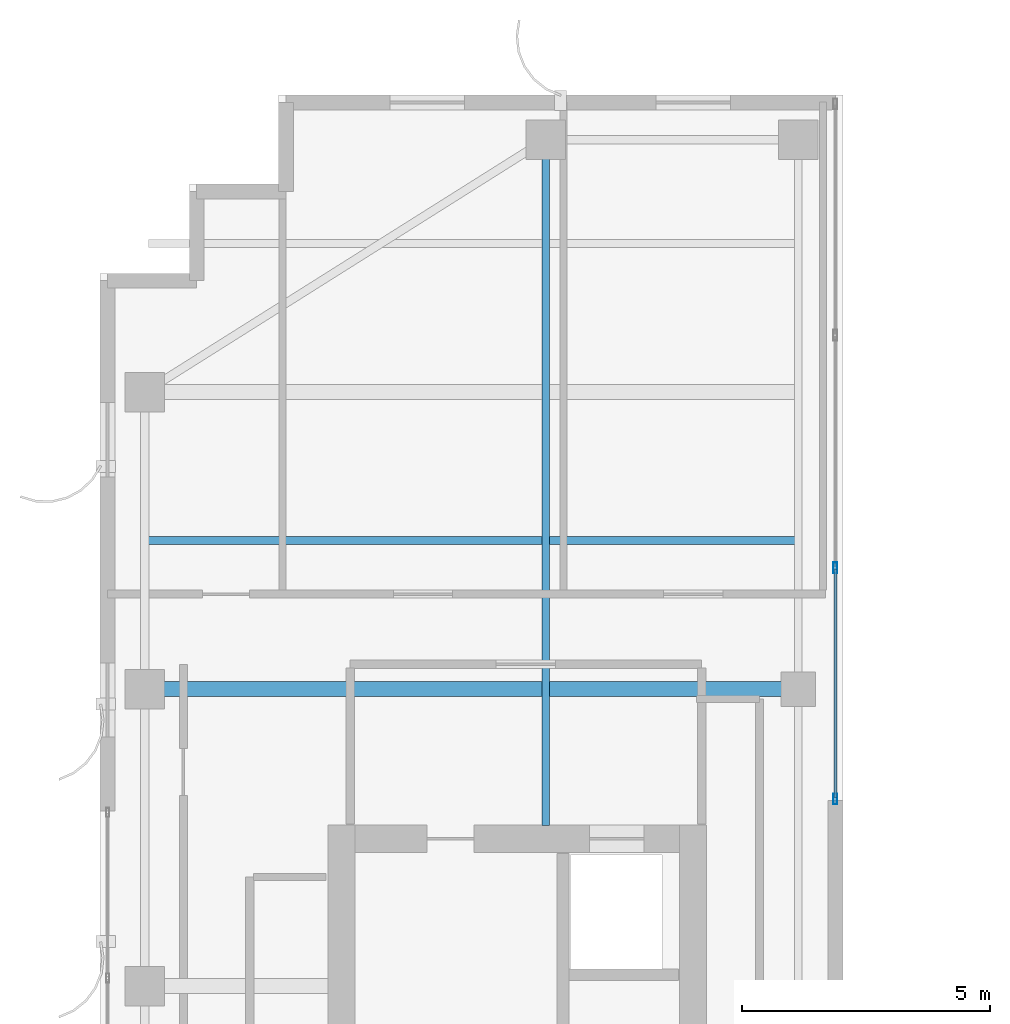
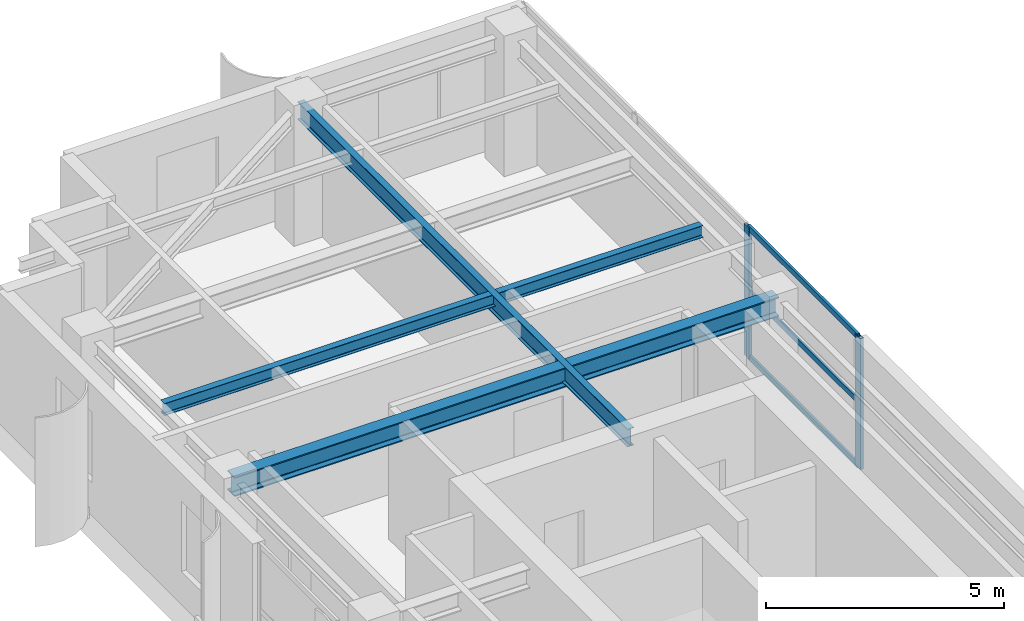
# One storey, part 9 of 24: 5 members, 3 beams, 1 element without a shape of its own.
"""IFC4 building model written with IfcOpenShell, lengths in metres."""

from ifc_helpers import new_model, si_unit, direction, frame, origin, origin_2d, place, context, subcontext, project, spatial, hollow_rectangle, i_section, extrude, source, transform, mapped, material, layer, layer_set, material_profile, profile_set, type_object, element, aggregate, save


model = new_model("IFC4")

# Units and contexts
model_context = context("Model", 3, precision=1e-05, world=origin(), true_north=direction((0.0, 1.0)))
body_context = subcontext(model_context, "Body", "Model", "MODEL_VIEW")
ifc_project = project(units=[si_unit("LENGTHUNIT", "METRE"), si_unit("AREAUNIT", "SQUARE_METRE"), si_unit("VOLUMEUNIT", "CUBIC_METRE"), si_unit("PLANEANGLEUNIT", "RADIAN"), si_unit("MASSUNIT", "GRAM", prefix="KILO")], contexts=[model_context])

# Site, building, storey
site_placement = place(None, origin())
site = spatial("IfcSite", under=ifc_project, at=site_placement, CompositionType="ELEMENT")
building_placement = place(site_placement, origin())
building = spatial("IfcBuilding", under=site, at=building_placement, Name="Khoralis Quay Care Tower", CompositionType="ELEMENT")
storey_placement = place(building_placement, frame((0.0, 0.0, 227.699951171875)))
storey = spatial("IfcBuildingStorey", under=building, at=storey_placement, Name="L59", CompositionType="ELEMENT", Elevation=227.699951171875)

# Beams
ifc_material_1 = material(Name="Steel S355", Category="steel")
ifc_material_profile_1 = material_profile(ifc_material_1, i_section(OverallWidth=0.300048828125, OverallDepth=0.5, WebThickness=0.014404296875, FlangeThickness=0.028076171875, FilletRadius=0.027099609375, at=origin_2d()), Name="Steel S355")
ifc_profile_set_1 = profile_set([ifc_material_profile_1], Name="Steel S355")
beam_type_1 = type_object("IfcBeamType", Name="BM-HEB500", PredefinedType="BEAM", material=ifc_profile_set_1)
shared_shape_1 = source(origin(), body_context, "Body", "SweptSolid", [
    extrude(i_section(OverallWidth=0.300048828125, OverallDepth=0.5, WebThickness=0.014404296875, FlangeThickness=0.028076171875, FilletRadius=0.027099609375, at=origin_2d()), origin(), (0.0, 0.0, 1.0), 13.2001953125),
])
beam_1_placement = place(storey_placement, frame((3.89990234375, 30.0, 3.110107421875), z_axis=(1.0, 0.0, 0.0), x_axis=(0.0, 1.0, 0.0)))
element("IfcBeam", 1, at=beam_1_placement, inside=storey, type_object=beam_type_1, Name="BM-TGXW-L59-300", PredefinedType="BEAM", context=body_context, shape_type="MappedRepresentation", body=[
    mapped(shared_shape_1, transform((0.0, 0.0, 0.0), scale=1.0)),
])
ifc_material_profile_2 = material_profile(ifc_material_1, i_section(OverallWidth=0.1650390625, OverallDepth=0.31005859375, WebThickness=0.005859375, FlangeThickness=0.009765625, FilletRadius=0.011962890625, at=origin_2d()), Name="Steel S355")
ifc_profile_set_2 = profile_set([ifc_material_profile_2], Name="Steel S355")
beam_type_2 = type_object("IfcBeamType", Name="BM-W310X39", PredefinedType="JOIST", material=ifc_profile_set_2)
shared_shape_2 = source(origin(), body_context, "Body", "SweptSolid", [
    extrude(i_section(OverallWidth=0.1650390625, OverallDepth=0.31005859375, WebThickness=0.005859375, FlangeThickness=0.009765625, FilletRadius=0.011962890625, at=origin_2d()), origin(), (0.0, 0.0, 1.0), 13.06396484375),
])
beam_2_placement = place(storey_placement, frame((3.970947265625, 33.0, 3.205078125), z_axis=(1.0, 0.0, 0.0), x_axis=(0.0, 1.0, 0.0)))
element("IfcBeam", 2, at=beam_2_placement, inside=storey, type_object=beam_type_2, Name="BM-TJS-L59-19", PredefinedType="JOIST", context=body_context, shape_type="MappedRepresentation", body=[
    mapped(shared_shape_2, transform((0.0, 0.0, 0.0), scale=1.0)),
])
ifc_material_profile_3 = material_profile(ifc_material_1, i_section(OverallWidth=0.154052734375, OverallDepth=0.458984375, WebThickness=0.009033203125, FlangeThickness=0.015380859375, FilletRadius=0.014892578125, at=origin_2d()), Name="Steel S355")
ifc_profile_set_3 = profile_set([ifc_material_profile_3], Name="Steel S355")
beam_type_3 = type_object("IfcBeamType", Name="BM-W460X68", PredefinedType="BEAM", material=ifc_profile_set_3)
shared_shape_3 = source(origin(), body_context, "Body", "SweptSolid", [
    extrude(i_section(OverallWidth=0.154052734375, OverallDepth=0.458984375, WebThickness=0.009033203125, FlangeThickness=0.015380859375, FilletRadius=0.014892578125, at=origin_2d()), origin(), (0.0, 0.0, 1.0), 13.85205078125),
])
beam_3_placement = place(storey_placement, frame((12.0, 27.248046875, 3.130615234375), z_axis=(0.0, 1.0, 0.0), x_axis=(-1.0, 0.0, 0.0)))
element("IfcBeam", 3, at=beam_3_placement, inside=storey, type_object=beam_type_3, Name="BM-TGYN-L59-120", PredefinedType="BEAM", context=body_context, shape_type="MappedRepresentation", body=[
    mapped(shared_shape_3, transform((0.0, 0.0, 0.0), scale=1.0)),
])

# Curtain wall, members
ifc_material_2 = material(Name="Pale anodised aluminium", Category="aluminium")
ifc_layer = layer(ifc_material_2, 0.18994140625)
ifc_layer_set = layer_set([ifc_layer], Name="Pale anodised aluminium")
curtain_wall_type = type_object("IfcCurtainWallType", Name="CW-SYS-PORTAL", PredefinedType="NOTDEFINED", material=ifc_layer_set)
curtain_wall_placement = place(storey_placement, origin())
curtain_wall = element("IfcCurtainWall", 4, at=curtain_wall_placement, inside=storey, type_object=curtain_wall_type, Name="L59 Unitised Curtain Wall CW-VP-L59-P1-N", PredefinedType="NOTDEFINED")
ifc_material_profile_4 = material_profile(ifc_material_2, hollow_rectangle(XDim=0.06005859375, YDim=0.139892578125, WallThickness=0.00390625, at=origin_2d()), Name="Pale anodised aluminium")
ifc_profile_set_4 = profile_set([ifc_material_profile_4], Name="Pale anodised aluminium")
member_type_1 = type_object("IfcMemberType", Name="CW-TRN-140", PredefinedType="USERDEFINED", material=ifc_profile_set_4)
shared_shape_4 = source(origin(), body_context, "Body", "SweptSolid", [
    extrude(hollow_rectangle(XDim=0.06005859375, YDim=0.139892578125, WallThickness=0.00390625, at=origin_2d()), origin(), (0.0, 0.0, 1.0), 4.60986328125),
])
member_1_placement = place(storey_placement, frame((17.85009765625, 27.81005859375, 0.030029296875), z_axis=(0.0, 1.0, 0.0), x_axis=(-1.0, 0.0, 0.0)))
member_1 = element("IfcMember", 5, at=member_1_placement, type_object=member_type_1, Name="CW4 transom 1.1", ObjectType="TRANSOM", PredefinedType="USERDEFINED", context=body_context, shape_type="MappedRepresentation", body=[
    mapped(shared_shape_4, transform((0.0, 0.0, 0.0), scale=1.0)),
])
member_2_placement = place(storey_placement, frame((17.85009765625, 27.81005859375, 1.679931640625), z_axis=(0.0, 1.0, 0.0), x_axis=(-1.0, 0.0, 0.0)))
member_2 = element("IfcMember", 6, at=member_2_placement, type_object=member_type_1, Name="CW4 transom 1.2", ObjectType="TRANSOM", PredefinedType="USERDEFINED", context=body_context, shape_type="MappedRepresentation", body=[
    mapped(shared_shape_4, transform((0.0, 0.0, 0.0), scale=1.0)),
])
member_3_placement = place(storey_placement, frame((17.85009765625, 27.81005859375, 3.330078125), z_axis=(0.0, 1.0, 0.0), x_axis=(-1.0, 0.0, 0.0)))
member_3 = element("IfcMember", 7, at=member_3_placement, type_object=member_type_1, Name="CW4 transom 1.3", ObjectType="TRANSOM", PredefinedType="USERDEFINED", context=body_context, shape_type="MappedRepresentation", body=[
    mapped(shared_shape_4, transform((0.0, 0.0, 0.0), scale=1.0)),
])
ifc_material_profile_5 = material_profile(ifc_material_2, hollow_rectangle(XDim=0.074951171875, YDim=0.219970703125, WallThickness=0.00390625, at=origin_2d()), Name="Pale anodised aluminium")
ifc_profile_set_5 = profile_set([ifc_material_profile_5], Name="Pale anodised aluminium")
member_type_2 = type_object("IfcMemberType", Name="CW-MUL-220", PredefinedType="MULLION", material=ifc_profile_set_5)
shared_shape_5 = source(origin(), body_context, "Body", "SweptSolid", [
    extrude(hollow_rectangle(XDim=0.074951171875, YDim=0.219970703125, WallThickness=0.00390625, at=origin_2d()), origin(), (0.0, 0.0, 1.0), 3.360107421875),
])
member_4_placement = place(storey_placement, frame((17.85009765625, 27.780029296875, 0.0), z_axis=(0.0, 0.0, 1.0), x_axis=(-1.0, 0.0, 0.0)))
member_4 = element("IfcMember", 8, at=member_4_placement, type_object=member_type_2, Name="CW4 mullion 1", PredefinedType="MULLION", context=body_context, shape_type="MappedRepresentation", body=[
    mapped(shared_shape_5, transform((0.0, 0.0, 0.0), scale=1.0)),
])
member_5_placement = place(storey_placement, frame((17.85009765625, 32.449951171875, 0.0), z_axis=(0.0, 0.0, 1.0), x_axis=(-1.0, 0.0, 0.0)))
member_5 = element("IfcMember", 9, at=member_5_placement, type_object=member_type_2, Name="CW4 mullion 2", PredefinedType="MULLION", context=body_context, shape_type="MappedRepresentation", body=[
    mapped(shared_shape_5, transform((0.0, 0.0, 0.0), scale=1.0)),
])
aggregate(curtain_wall, [member_4, member_5, member_1, member_2, member_3])

save(model, "model.ifc")
